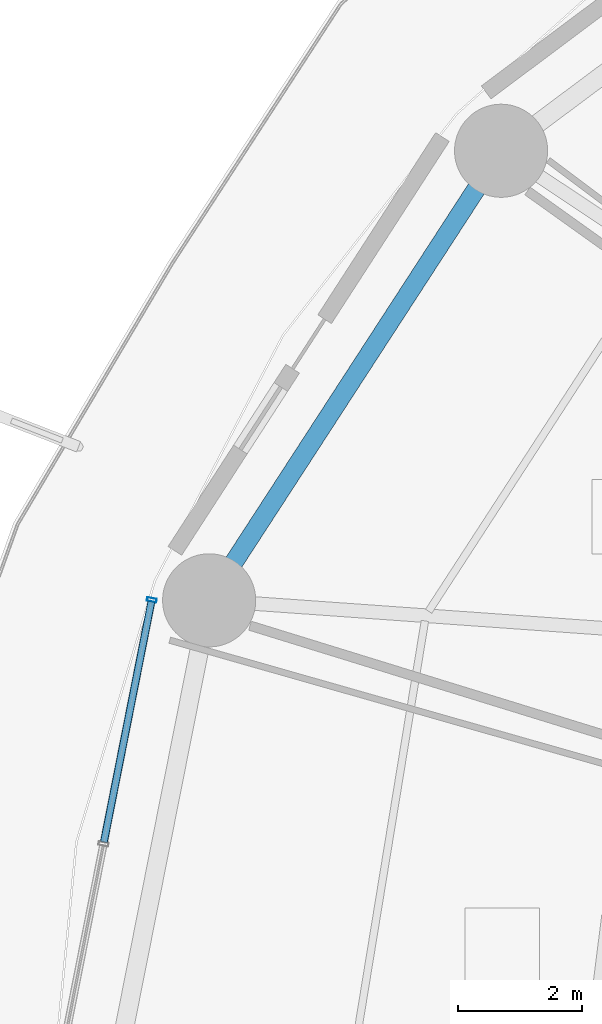
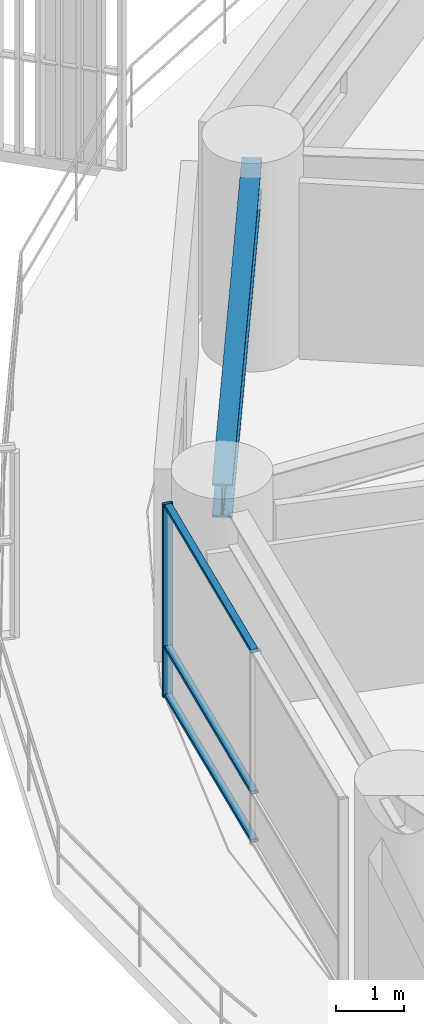
# One storey, part 15 of 33: 4 members, 1 beam, 1 element without a shape of its own.
"""IFC4 building model written with IfcOpenShell, lengths in metres."""

from ifc_helpers import new_model, si_unit, direction, frame, origin, origin_2d, place, context, subcontext, project, spatial, hollow_rectangle, i_section, extrude, material, layer, layer_set, material_profile, profile_set, type_object, element, aggregate, save


model = new_model("IFC4")

# Units and contexts
model_context = context("Model", 3, precision=1e-05, world=origin(), true_north=direction((0.0, 1.0)))
body_context = subcontext(model_context, "Body", "Model", "MODEL_VIEW")
ifc_project = project(units=[si_unit("LENGTHUNIT", "METRE"), si_unit("AREAUNIT", "SQUARE_METRE"), si_unit("VOLUMEUNIT", "CUBIC_METRE"), si_unit("PLANEANGLEUNIT", "RADIAN"), si_unit("MASSUNIT", "GRAM", prefix="KILO")], contexts=[model_context])

# Site, building, storey
site_placement = place(None, origin())
site = spatial("IfcSite", under=ifc_project, at=site_placement, CompositionType="ELEMENT")
building_placement = place(site_placement, origin())
building = spatial("IfcBuilding", under=site, at=building_placement, Name="Kelanora Arch Commons", CompositionType="ELEMENT")
storey_placement = place(building_placement, frame((0.0, 0.0, 37.5)))
storey = spatial("IfcBuildingStorey", under=building, at=storey_placement, Name="L09", CompositionType="ELEMENT", Elevation=37.5)

# Beam
ifc_material_1 = material(Name="Steel S355", Category="steel")
ifc_material_profile_1 = material_profile(ifc_material_1, i_section(OverallWidth=0.300048828125, OverallDepth=0.60009765625, WebThickness=0.015380859375, FlangeThickness=0.030029296875, FilletRadius=0.027099609375, at=origin_2d()), Name="HEB600")
ifc_profile_set_1 = profile_set([ifc_material_profile_1], Name="Steel S355")
beam_type = type_object("IfcBeamType", Name="BM-SPN-Z1", PredefinedType="SPANDREL", material=ifc_profile_set_1)
beam_placement = place(storey_placement, frame((53.1357421875, 73.293701171875, 3.18994140625), z_axis=(-0.544583445345, -0.83870666568, 0.0), x_axis=(0.83870666568, -0.544583445345, 0.0)))
element("IfcBeam", 1, at=beam_placement, inside=storey, type_object=beam_type, Name="Perimeter Spandrel Beam BS-14 L09", PredefinedType="SPANDREL", context=body_context, shape_type="SweptSolid", body=[
    extrude(i_section(OverallWidth=0.300048828125, OverallDepth=0.60009765625, WebThickness=0.015380859375, FlangeThickness=0.030029296875, FilletRadius=0.027099609375, at=origin_2d()), origin(), (0.0, 0.0, 1.0), 8.415283203125),
])

# Curtain wall, members
ifc_material_2 = material(Name="Terracotta ceramic-fritted low-E glass and aluminium", Category="masonry")
ifc_layer = layer(ifc_material_2, 0.159912109375)
ifc_layer_set = layer_set([ifc_layer], Name="Terracotta ceramic-fritted low-E glass and aluminium")
curtain_wall_type = type_object("IfcCurtainWallType", Name="CW-SYS-01", PredefinedType="NOTDEFINED", material=ifc_layer_set)
curtain_wall_placement = place(storey_placement, origin())
curtain_wall = element("IfcCurtainWall", 2, at=curtain_wall_placement, inside=storey, type_object=curtain_wall_type, Name="Unitised Curtain Wall L09-B08", PredefinedType="NOTDEFINED")
ifc_material_3 = material(Name="Powder-coated aluminium terracotta", Category="masonry")
ifc_material_profile_2 = material_profile(ifc_material_3, hollow_rectangle(XDim=0.159912109375, YDim=0.06005859375, WallThickness=0.0048828125, InnerFilletRadius=0.0048828125, OuterFilletRadius=0.010009765625, at=origin_2d()), Name="CWM160x60")
ifc_profile_set_2 = profile_set([ifc_material_profile_2], Name="Powder-coated aluminium terracotta")
member_type_1 = type_object("IfcMemberType", Name="CWM-STD", PredefinedType="MULLION", material=ifc_profile_set_2)
member_1_placement = place(storey_placement, frame((47.628173828125, 66.243896484375, 0.0), z_axis=(0.0, 0.0, 1.0), x_axis=(0.981052110579, -0.193744048498, 0.0)))
member_1 = element("IfcMember", 3, at=member_1_placement, type_object=member_type_1, Name="CW-01 mullion 1", PredefinedType="MULLION", context=body_context, shape_type="SweptSolid", body=[
    extrude(hollow_rectangle(XDim=0.159912109375, YDim=0.06005859375, WallThickness=0.0048828125, InnerFilletRadius=0.0048828125, OuterFilletRadius=0.010009765625, at=origin_2d()), origin(), (0.0, 0.0, 1.0), 3.47509765625),
])
ifc_material_profile_3 = material_profile(ifc_material_3, hollow_rectangle(XDim=0.1201171875, YDim=0.06005859375, WallThickness=0.0048828125, InnerFilletRadius=0.0048828125, OuterFilletRadius=0.010009765625, at=origin_2d()), Name="CWT120x60")
ifc_profile_set_3 = profile_set([ifc_material_profile_3], Name="Powder-coated aluminium terracotta")
member_type_2 = type_object("IfcMemberType", Name="CWT-STD", PredefinedType="USERDEFINED", material=ifc_profile_set_3)
member_2_placement = place(storey_placement, frame((47.622314453125, 66.21435546875, 0.030029296875), z_axis=(-0.193725436624, -0.98105578598, 0.0), x_axis=(0.98105578598, -0.193725436624, 0.0)))
member_2 = element("IfcMember", 4, at=member_2_placement, type_object=member_type_2, Name="CW-01 transom 1.1", ObjectType="TRANSOM", PredefinedType="USERDEFINED", context=body_context, shape_type="SweptSolid", body=[
    extrude(hollow_rectangle(XDim=0.1201171875, YDim=0.06005859375, WallThickness=0.0048828125, InnerFilletRadius=0.0048828125, OuterFilletRadius=0.010009765625, at=origin_2d()), origin(), (0.0, 0.0, 1.0), 3.9482421875),
])
member_3_placement = place(storey_placement, frame((47.622314453125, 66.21435546875, 0.89990234375), z_axis=(-0.193725436624, -0.98105578598, 0.0), x_axis=(0.98105578598, -0.193725436624, 0.0)))
member_3 = element("IfcMember", 5, at=member_3_placement, type_object=member_type_2, Name="CW-01 transom 1.2", ObjectType="TRANSOM", PredefinedType="USERDEFINED", context=body_context, shape_type="SweptSolid", body=[
    extrude(hollow_rectangle(XDim=0.1201171875, YDim=0.06005859375, WallThickness=0.0048828125, InnerFilletRadius=0.0048828125, OuterFilletRadius=0.010009765625, at=origin_2d()), origin(), (0.0, 0.0, 1.0), 3.9482421875),
])
member_4_placement = place(storey_placement, frame((47.622314453125, 66.21435546875, 3.445068359375), z_axis=(-0.193725436624, -0.98105578598, 0.0), x_axis=(0.98105578598, -0.193725436624, 0.0)))
member_4 = element("IfcMember", 6, at=member_4_placement, type_object=member_type_2, Name="CW-01 transom 1.3", ObjectType="TRANSOM", PredefinedType="USERDEFINED", context=body_context, shape_type="SweptSolid", body=[
    extrude(hollow_rectangle(XDim=0.1201171875, YDim=0.06005859375, WallThickness=0.0048828125, InnerFilletRadius=0.0048828125, OuterFilletRadius=0.010009765625, at=origin_2d()), origin(), (0.0, 0.0, 1.0), 3.9482421875),
])
aggregate(curtain_wall, [member_1, member_2, member_3, member_4])

save(model, "model.ifc")
